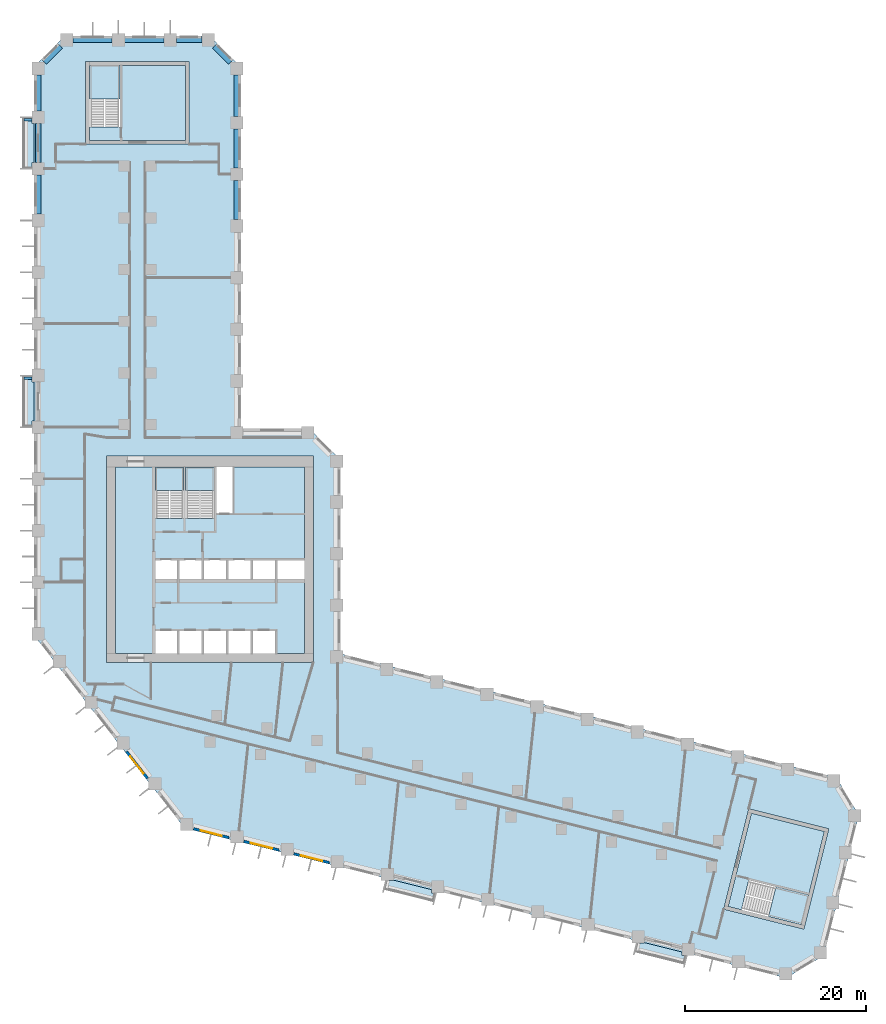
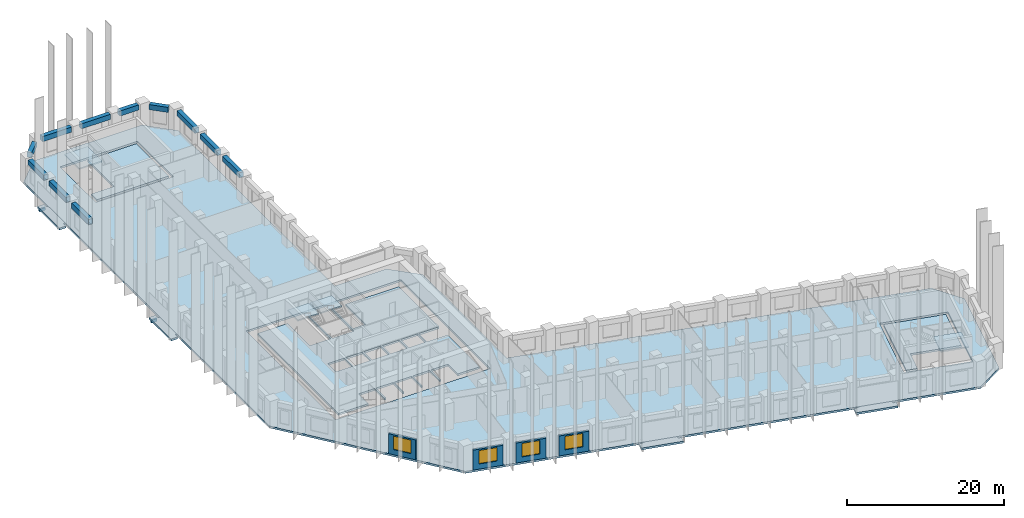
# One storey, part 2 of 11: 13 beams, 12 slabs, 4 walls, 4 windows, 4 openings, 4 elements without a shape of their own.
"""IFC4 building model written with IfcOpenShell, lengths in metres."""

from ifc_helpers import new_model, si_unit, direction, frame, frame_2d, origin, origin_2d, place, context, subcontext, project, spatial, polyline, rectangle, outline, extrude, material, layer, layer_set, material_profile, profile_set, type_object, element, fill, aggregate, save


model = new_model("IFC4")

# Units and contexts
model_context = context("Model", 3, precision=1e-05, world=origin(), true_north=direction((0.0, 1.0)))
body_context = subcontext(model_context, "Body", "Model", "MODEL_VIEW")
ifc_project = project(units=[si_unit("LENGTHUNIT", "METRE"), si_unit("AREAUNIT", "SQUARE_METRE"), si_unit("VOLUMEUNIT", "CUBIC_METRE"), si_unit("PLANEANGLEUNIT", "RADIAN"), si_unit("MASSUNIT", "GRAM", prefix="KILO")], contexts=[model_context])

# Site, building, storey
site_placement = place(None, origin())
site = spatial("IfcSite", under=ifc_project, at=site_placement, CompositionType="ELEMENT")
building_placement = place(site_placement, origin())
building = spatial("IfcBuilding", under=site, at=building_placement, Name="Meshkara Civic Tower", CompositionType="ELEMENT")
storey_placement = place(building_placement, frame((0.0, 0.0, 49.800048828125)))
storey = spatial("IfcBuildingStorey", under=building, at=storey_placement, Name="L10", CompositionType="ELEMENT", Elevation=49.800048828125)

# Beams
ifc_material_1 = material(Name="Concrete C50", Category="concrete")
ifc_material_profile_1 = material_profile(ifc_material_1, rectangle(XDim=0.25, YDim=0.39990234375, at=origin_2d()))
ifc_profile_set_1 = profile_set([ifc_material_profile_1], Name="Concrete C50")
beam_type_1 = type_object("IfcBeamType", Name="Balcony bracket beam RC 250x400 C50", PredefinedType="BEAM", material=ifc_profile_set_1)
for number, where, z_axis, x_axis, name in (
    (1, (-0.2451171875, 73.955078125, -0.5), (-1.0, 0.0, 0.0), (0.0, -1.0, 0.0), "Balcony bracket beam"),
    (2, (-0.2451171875, 45.455078125, -0.5), (-1.0, 0.0, 0.0), (0.0, -1.0, 0.0), "Balcony bracket beam"),
):
    element("IfcBeam", number, at=place(storey_placement, frame(where, z_axis=z_axis, x_axis=x_axis)), inside=storey, type_object=beam_type_1, Name=name, PredefinedType="BEAM", context=body_context, shape_type="SweptSolid", body=[
        extrude(rectangle(XDim=0.25, YDim=0.39990234375, at=origin_2d()), origin(), (0.0, 0.0, 1.0), 0.85498046875),
    ])
ifc_material_2 = material(Name="Concrete C70", Category="concrete")
ifc_material_profile_2 = material_profile(ifc_material_2, rectangle(XDim=0.60009765625, YDim=0.800048828125, at=origin_2d()))
ifc_profile_set_2 = profile_set([ifc_material_profile_2], Name="Concrete C70")
beam_type_2 = type_object("IfcBeamType", Name="Spandrel beam RC 600x800 C70", PredefinedType="BEAM", material=ifc_profile_set_2)
beam_1_placement = place(storey_placement, frame((22.35009765625, 62.945068359375, 3.5), z_axis=(0.0, 1.0, 0.0), x_axis=(-1.0, 0.0, 0.0)))
element("IfcBeam", 3, at=beam_1_placement, inside=storey, type_object=beam_type_2, Name="Spandrel beam AE04-AE05", PredefinedType="BEAM", context=body_context, shape_type="SweptSolid", body=[
    extrude(rectangle(XDim=0.60009765625, YDim=0.800048828125, at=origin_2d()), origin(), (0.0, 0.0, 1.0), 4.309814453125),
])
beam_2_placement = place(storey_placement, frame((22.35009765625, 68.64501953125, 3.5), z_axis=(0.0, 1.0, 0.0), x_axis=(-1.0, 0.0, 0.0)))
element("IfcBeam", 4, at=beam_2_placement, inside=storey, type_object=beam_type_2, Name="Spandrel beam AE05-AE06", PredefinedType="BEAM", context=body_context, shape_type="SweptSolid", body=[
    extrude(rectangle(XDim=0.60009765625, YDim=0.800048828125, at=origin_2d()), origin(), (0.0, 0.0, 1.0), 4.31005859375),
])
beam_3_placement = place(storey_placement, frame((22.35009765625, 74.344970703125, 3.5), z_axis=(0.0, 1.0, 0.0), x_axis=(-1.0, 0.0, 0.0)))
element("IfcBeam", 5, at=beam_3_placement, inside=storey, type_object=beam_type_2, Name="Spandrel beam AE06-AEE", PredefinedType="BEAM", context=body_context, shape_type="SweptSolid", body=[
    extrude(rectangle(XDim=0.60009765625, YDim=0.800048828125, at=origin_2d()), origin(), (0.0, 0.0, 1.0), 4.573974609375),
])
beam_4_placement = place(storey_placement, frame((21.653564453125, 80.310546875, 3.5), z_axis=(-0.707155737934, 0.70705782105, 0.0), x_axis=(-0.70705782105, -0.707155737934, 0.0)))
element("IfcBeam", 6, at=beam_4_placement, inside=storey, type_object=beam_type_2, Name="Spandrel beam AEE-ATiE", PredefinedType="BEAM", context=body_context, shape_type="SweptSolid", body=[
    extrude(rectangle(XDim=0.60009765625, YDim=0.800048828125, at=origin_2d()), origin(), (0.0, 0.0, 1.0), 2.493408203125),
])
beam_5_placement = place(storey_placement, frame((18.4990234375, 82.77001953125, 3.5), z_axis=(-1.0, 0.0, 0.0), x_axis=(0.0, -1.0, 0.0)))
element("IfcBeam", 7, at=beam_5_placement, inside=storey, type_object=beam_type_2, Name="Spandrel beam AT02-ATiE", PredefinedType="BEAM", context=body_context, shape_type="SweptSolid", body=[
    extrude(rectangle(XDim=0.60009765625, YDim=0.800048828125, at=origin_2d()), origin(), (0.0, 0.0, 1.0), 2.798095703125),
])
for number, where, z_axis, x_axis, name in (
    (8, (14.31103515625, 82.77001953125, 3.5), (-1.0, 0.0, 0.0), (0.0, -1.0, 0.0), "Spandrel beam AT01-AT02"),
    (9, (8.611083984375, 82.77001953125, 3.5), (-1.0, 0.0, 0.0), (0.0, -1.0, 0.0), "Spandrel beam AT00-AT01"),
):
    element("IfcBeam", number, at=place(storey_placement, frame(where, z_axis=z_axis, x_axis=x_axis)), inside=storey, type_object=beam_type_2, Name=name, PredefinedType="BEAM", context=body_context, shape_type="SweptSolid", body=[
        extrude(rectangle(XDim=0.60009765625, YDim=0.800048828125, at=origin_2d()), origin(), (0.0, 0.0, 1.0), 4.31005859375),
    ])
beam_6_placement = place(storey_placement, frame((2.909423828125, 82.073486328125, 3.5), z_axis=(-0.707106781187, -0.707106781187, 0.0), x_axis=(0.707106781187, -0.707106781187, 0.0)))
element("IfcBeam", 10, at=beam_6_placement, inside=storey, type_object=beam_type_2, Name="Spandrel beam AT00-ATo00", PredefinedType="BEAM", context=body_context, shape_type="SweptSolid", body=[
    extrude(rectangle(XDim=0.60009765625, YDim=0.800048828125, at=origin_2d()), origin(), (0.0, 0.0, 1.0), 2.4931640625),
])
beam_7_placement = place(storey_placement, frame((0.449951171875, 78.9189453125, 3.5), z_axis=(0.0, -1.0, 0.0), x_axis=(1.0, 0.0, 0.0)))
element("IfcBeam", 11, at=beam_7_placement, inside=storey, type_object=beam_type_2, Name="Spandrel beam ATo00-AW10", PredefinedType="BEAM", context=body_context, shape_type="SweptSolid", body=[
    extrude(rectangle(XDim=0.60009765625, YDim=0.800048828125, at=origin_2d()), origin(), (0.0, 0.0, 1.0), 3.968994140625),
])
for number, where, z_axis, x_axis, name in (
    (12, (0.449951171875, 73.56005859375, 3.5), (0.0, -1.0, 0.0), (1.0, 0.0, 0.0), "Spandrel beam AW09-AW10"),
    (13, (0.449951171875, 67.860107421875, 3.5), (0.0, -1.0, 0.0), (1.0, 0.0, 0.0), "Spandrel beam AW08-AW09"),
):
    element("IfcBeam", number, at=place(storey_placement, frame(where, z_axis=z_axis, x_axis=x_axis)), inside=storey, type_object=beam_type_2, Name=name, PredefinedType="BEAM", context=body_context, shape_type="SweptSolid", body=[
        extrude(rectangle(XDim=0.60009765625, YDim=0.800048828125, at=origin_2d()), origin(), (0.0, 0.0, 1.0), 4.31005859375),
    ])

# Slabs
ifc_material_3 = material(Name="Concrete C40", Category="concrete")
ifc_layer_1 = layer(ifc_material_3, 0.300048828125)
ifc_layer_set_1 = layer_set([ifc_layer_1], Name="BALCONY SLAB")
slab_type_1 = type_object("IfcSlabType", Name="BALCONY SLAB", PredefinedType="FLOOR", material=ifc_layer_set_1)
slab_1_placement = place(storey_placement, frame((0.0, 0.0, -0.300048828125)))
element("IfcSlab", 14, at=slab_1_placement, inside=storey, type_object=slab_type_1, Name="Balcony slab", PredefinedType="FLOOR", context=body_context, shape_type="SweptSolid", body=[
    extrude(outline(polyline([(-1.199951171875, 68.614990234375), (-1.199951171875, 74.195068359375), (-0.25, 74.195068359375), (-0.25, 73.554931640625), (0.0, 73.554931640625), (0.0, 69.2548828125), (-0.25, 69.2548828125), (-0.25, 68.614990234375), (-1.199951171875, 68.614990234375)])), origin(), (0.0, 0.0, 1.0), 0.300048828125),
])
slab_2_placement = place(storey_placement, frame((0.0, 0.0, -0.300048828125)))
element("IfcSlab", 15, at=slab_2_placement, inside=storey, type_object=slab_type_1, Name="Balcony slab", PredefinedType="FLOOR", context=body_context, shape_type="SweptSolid", body=[
    extrude(outline(polyline([(-1.199951171875, 40.114990234375), (-1.199951171875, 45.695068359375), (-0.25, 45.695068359375), (-0.25, 45.054931640625), (0.0, 45.054931640625), (0.0, 40.7548828125), (-0.25, 40.7548828125), (-0.25, 40.114990234375), (-1.199951171875, 40.114990234375)])), origin(), (0.0, 0.0, 1.0), 0.300048828125),
])
slab_3_placement = place(storey_placement, frame((0.0, 0.0, -0.300048828125)))
element("IfcSlab", 16, at=slab_3_placement, inside=storey, type_object=slab_type_1, Name="Balcony slab", PredefinedType="FLOOR", context=body_context, shape_type="SweptSolid", body=[
    extrude(outline(polyline([(44.047119140625, -12.218994140625), (38.633056640625, -10.868896484375), (38.861083984375, -9.9541015625), (39.674072265625, -9.9541015625), (39.674072265625, -9.89208984375), (43.804931640625, -10.922119140625), (43.804931640625, -11.33203125), (44.26904296875, -11.33203125), (44.047119140625, -12.218994140625)])), origin(), (0.0, 0.0, 1.0), 0.300048828125),
])
slab_4_placement = place(storey_placement, frame((0.0, 0.0, -0.300048828125)))
element("IfcSlab", 17, at=slab_4_placement, inside=storey, type_object=slab_type_1, Name="Balcony slab", PredefinedType="FLOOR", context=body_context, shape_type="SweptSolid", body=[
    extrude(outline(polyline([(71.700927734375, -19.114013671875), (66.285888671875, -17.763916015625), (66.513916015625, -16.847900390625), (67.326904296875, -16.847900390625), (67.326904296875, -16.785888671875), (71.4580078125, -17.81591796875), (71.4580078125, -18.22705078125), (71.922119140625, -18.22705078125), (71.700927734375, -19.114013671875)])), origin(), (0.0, 0.0, 1.0), 0.300048828125),
])
ifc_material_4 = material(Name="Concrete C40/50", Category="concrete")
ifc_layer_2 = layer(ifc_material_4, 0.300048828125)
ifc_layer_set_2 = layer_set([ifc_layer_2], Name="Core floor slab 300 C40/50")
slab_type_2 = type_object("IfcSlabType", Name="Core floor slab 300 C40/50", PredefinedType="FLOOR", material=ifc_layer_set_2)
slab_5_placement = place(storey_placement, frame((0.0, 0.0, -0.300048828125)))
element("IfcSlab", 18, at=slab_5_placement, inside=storey, type_object=slab_type_2, Name="Core floor K", PredefinedType="FLOOR", context=body_context, shape_type="SweptSolid", body=[
    extrude(outline(polyline([(9.0, 35.699951171875), (13.39990234375, 35.699951171875), (13.39990234375, 30.00146484375), (16.5, 30.00146484375), (16.5, 35.699951171875), (16.699951171875, 35.699951171875), (16.699951171875, 30.00146484375), (19.89990234375, 30.00146484375), (19.89990234375, 35.699951171875), (20.10009765625, 35.699951171875), (20.10009765625, 30.574951171875), (21.925048828125, 30.574951171875), (21.925048828125, 35.699951171875), (29.800048828125, 35.699951171875), (29.800048828125, 25.39990234375), (26.800048828125, 25.39990234375), (26.800048828125, 23.300048828125), (29.800048828125, 23.300048828125), (29.800048828125, 15.10009765625), (26.60009765625, 15.10009765625), (26.60009765625, 17.60009765625), (24.10009765625, 17.60009765625), (24.10009765625, 15.10009765625), (23.89990234375, 15.10009765625), (23.89990234375, 17.60009765625), (21.39990234375, 17.60009765625), (21.39990234375, 15.10009765625), (21.199951171875, 15.10009765625), (21.199951171875, 17.60009765625), (18.699951171875, 17.60009765625), (18.699951171875, 15.10009765625), (18.5, 15.10009765625), (18.5, 17.60009765625), (16.0, 17.60009765625), (16.0, 15.10009765625), (15.800048828125, 15.10009765625), (15.800048828125, 17.60009765625), (13.39990234375, 17.60009765625), (13.39990234375, 15.10009765625), (9.0, 15.10009765625), (9.0, 35.699951171875)]), holes=[polyline([(13.39990234375, 25.39990234375), (13.39990234375, 23.300048828125), (15.800048828125, 23.300048828125), (15.800048828125, 25.39990234375), (13.39990234375, 25.39990234375)]), polyline([(18.5, 23.300048828125), (18.5, 25.39990234375), (16.0, 25.39990234375), (16.0, 23.300048828125), (18.5, 23.300048828125)]), polyline([(18.699951171875, 25.39990234375), (18.699951171875, 23.300048828125), (21.199951171875, 23.300048828125), (21.199951171875, 25.39990234375), (18.699951171875, 25.39990234375)]), polyline([(23.89990234375, 23.300048828125), (23.89990234375, 25.39990234375), (21.39990234375, 25.39990234375), (21.39990234375, 23.300048828125), (23.89990234375, 23.300048828125)]), polyline([(26.60009765625, 23.300048828125), (26.60009765625, 25.39990234375), (24.10009765625, 25.39990234375), (24.10009765625, 23.300048828125), (26.60009765625, 23.300048828125)])]), origin(), (0.0, 0.0, 1.0), 0.300048828125),
])
slab_6_placement = place(storey_placement, frame((0.0, 0.0, -0.300048828125)))
element("IfcSlab", 19, at=slab_6_placement, inside=storey, type_object=slab_type_2, Name="Core floor EA", PredefinedType="FLOOR", context=body_context, shape_type="SweptSolid", body=[
    extrude(outline(polyline([(16.699951171875, 71.669921875), (16.699951171875, 79.969970703125), (9.5, 79.969970703125), (9.5, 73.17138671875), (6.10009765625, 73.17138671875), (6.10009765625, 71.669921875), (16.699951171875, 71.669921875)])), origin(), (0.0, 0.0, 1.0), 0.300048828125),
])
slab_7_placement = place(storey_placement, frame((0.0, 0.0, -0.300048828125)))
element("IfcSlab", 20, at=slab_7_placement, inside=storey, type_object=slab_type_2, Name="Core floor EB", PredefinedType="FLOOR", context=body_context, shape_type="SweptSolid", body=[
    extrude(outline(polyline([(79.11181640625, -2.513671875), (87.165283203125, -4.521484375), (85.423583984375, -11.507568359375), (78.826904296875, -9.863037109375), (78.00439453125, -13.161865234375), (76.547607421875, -12.798583984375), (79.11181640625, -2.513671875)])), origin(), (0.0, 0.0, 1.0), 0.300048828125),
])

# Stair, slab
ifc_material_5 = material(Name="Precast concrete C40/50", Category="concrete")
stair_type_1 = type_object("IfcStairType", Name="Exit stair half-turn 24 risers precast", PredefinedType="HALF_TURN_STAIR", material=ifc_material_5)
stair_1_placement = place(storey_placement, origin())
stair_1 = element("IfcStair", 21, at=stair_1_placement, inside=storey, type_object=stair_type_1, Name="L10 exit stair 1", PredefinedType="HALF_TURN_STAIR")
ifc_material_6 = material(Name="Precast concrete C40/50", Category="concrete")
ifc_layer_3 = layer(ifc_material_6, 0.199951171875)
ifc_layer_set_3 = layer_set([ifc_layer_3], Name="Exit stair landing 200")
slab_type_3 = type_object("IfcSlabType", Name="Exit stair landing 200", PredefinedType="LANDING", material=ifc_layer_set_3)
slab_8_placement = place(storey_placement, frame((0.0, 0.0, 1.89990234375)))
slab_8 = element("IfcSlab", 22, at=slab_8_placement, type_object=slab_type_3, Name="ST1 landing 1", PredefinedType="LANDING", context=body_context, shape_type="SweptSolid", body=[
    extrude(outline(polyline([(16.5, 33.07861328125), (16.5, 35.699951171875), (13.39990234375, 35.699951171875), (13.39990234375, 33.07861328125), (16.5, 33.07861328125)])), origin(), (0.0, 0.0, 1.0), 0.199951171875),
])
aggregate(stair_1, [slab_8])

stair_2_placement = place(storey_placement, origin())
stair_2 = element("IfcStair", 23, at=stair_2_placement, inside=storey, type_object=stair_type_1, Name="L10 exit stair 2", PredefinedType="HALF_TURN_STAIR")
slab_9_placement = place(storey_placement, frame((0.0, 0.0, 1.89990234375)))
slab_9 = element("IfcSlab", 24, at=slab_9_placement, type_object=slab_type_3, Name="ST2 landing 1", PredefinedType="LANDING", context=body_context, shape_type="SweptSolid", body=[
    extrude(outline(polyline([(19.89990234375, 33.07861328125), (19.89990234375, 35.699951171875), (16.699951171875, 35.699951171875), (16.699951171875, 33.07861328125), (19.89990234375, 33.07861328125)])), origin(), (0.0, 0.0, 1.0), 0.199951171875),
])
aggregate(stair_2, [slab_9])

ifc_material_7 = material(Name="Precast concrete C40/50", Category="concrete")
stair_type_2 = type_object("IfcStairType", Name="Exit stair half-turn 24 risers 1500 precast", PredefinedType="HALF_TURN_STAIR", material=ifc_material_7)
stair_3_placement = place(storey_placement, origin())
stair_3 = element("IfcStair", 25, at=stair_3_placement, inside=storey, type_object=stair_type_2, Name="L10 exit stair A from B2", PredefinedType="HALF_TURN_STAIR")
slab_10_placement = place(storey_placement, frame((0.0, 0.0, 1.89990234375)))
slab_10 = element("IfcSlab", 26, at=slab_10_placement, type_object=slab_type_3, Name="ESA1 landing 1", PredefinedType="LANDING", context=body_context, shape_type="SweptSolid", body=[
    extrude(outline(polyline([(9.5, 76.24853515625), (9.5, 79.969970703125), (6.10009765625, 79.969970703125), (6.10009765625, 76.24853515625), (9.5, 76.24853515625)])), origin(), (0.0, 0.0, 1.0), 0.199951171875),
])
aggregate(stair_3, [slab_10])

stair_4_placement = place(storey_placement, origin())
stair_4 = element("IfcStair", 27, at=stair_4_placement, inside=storey, type_object=stair_type_2, Name="L10 exit stair B from B2", PredefinedType="HALF_TURN_STAIR")
slab_11_placement = place(storey_placement, frame((0.0, 0.0, 1.89990234375)))
slab_11 = element("IfcSlab", 28, at=slab_11_placement, type_object=slab_type_3, Name="ESB1 landing 1", PredefinedType="LANDING", context=body_context, shape_type="SweptSolid", body=[
    extrude(outline(polyline([(80.98974609375, -13.9072265625), (84.600830078125, -14.80810546875), (85.424072265625, -11.50830078125), (81.81298828125, -10.607421875), (80.98974609375, -13.9072265625)])), origin(), (0.0, 0.0, 1.0), 0.199951171875),
])
aggregate(stair_4, [slab_11])

# Slab
ifc_material_8 = material(Name="Concrete C50", Category="concrete")
ifc_layer_4 = layer(ifc_material_8, 0.300048828125)
ifc_layer_set_4 = layer_set([ifc_layer_4], Name="Post-tensioned flat slab 300 C50")
slab_type_4 = type_object("IfcSlabType", Name="Post-tensioned flat slab 300 C50", PredefinedType="FLOOR", material=ifc_layer_set_4)
slab_12_placement = place(storey_placement, frame((0.0, 0.0, -0.300048828125)))
element("IfcSlab", 29, at=slab_12_placement, inside=storey, type_object=slab_type_4, Name="Post-tensioned flat slab L10", PredefinedType="FLOOR", context=body_context, shape_type="SweptSolid", body=[
    extrude(outline(polyline([(87.10595703125, -18.193115234375), (82.9599609375, -20.68408203125), (16.592041015625, -4.136962890625), (0.0, 17.10009765625), (0.0, 79.800048828125), (3.419921875, 83.219970703125), (19.3798828125, 83.219970703125), (22.800048828125, 79.800048828125), (22.800048828125, 39.89990234375), (30.3798828125, 39.89990234375), (33.800048828125, 36.47998046875), (33.800048828125, 15.071044921875), (88.47607421875, 1.43798828125), (90.967041015625, -2.70703125), (87.10595703125, -18.193115234375)]), holes=[polyline([(84.89208984375, -15.2919921875), (87.64990234375, -4.22998046875), (78.821044921875, -2.029052734375), (76.06298828125, -13.090087890625), (84.89208984375, -15.2919921875)]), polyline([(8.0, 14.10009765625), (30.800048828125, 14.10009765625), (30.800048828125, 36.89990234375), (8.0, 36.89990234375), (8.0, 14.10009765625)]), polyline([(5.699951171875, 80.3701171875), (5.699951171875, 71.27001953125), (17.10009765625, 71.27001953125), (17.10009765625, 80.3701171875), (5.699951171875, 80.3701171875)])]), origin(), (0.0, 0.0, 1.0), 0.300048828125),
])

# Wall, opening, window
ifc_material_9 = material(Name="Insulated infill panel with bronze anodised aluminium cladding", Category="aluminium")
ifc_layer_5 = layer(ifc_material_9, 0.300048828125)
ifc_layer_set_5 = layer_set([ifc_layer_5], Name="EXTERNAL INFILL WALL 300")
wall_type = type_object("IfcWallType", Name="EXTERNAL INFILL WALL 300", PredefinedType="SOLIDWALL", material=ifc_layer_set_5)
wall_1_placement = place(storey_placement, frame((10.201904296875, 4.285888671875, 0.0), z_axis=(0.0, 0.0, 1.0), x_axis=(0.615636430057, -0.788030320474, 0.0)))
wall_1 = element("IfcWall", 30, at=wall_1_placement, inside=storey, type_object=wall_type, Name="External wall", PredefinedType="SOLIDWALL", context=body_context, shape_type="SweptSolid", body=[
    extrude(rectangle(XDim=3.734375, YDim=0.300048828125, at=frame_2d((1.8671875, 0.0))), origin(), (0.0, 0.0, 1.0), 3.099853515625),
])
opening_1_placement = place(wall_1_placement, frame((0.6669921875, 0.0, 0.800048828125)))
opening_1 = element("IfcOpeningElement", 31, at=opening_1_placement, cuts=wall_1, Name="Opening W7", PredefinedType="OPENING", context=body_context, shape_type="SweptSolid", body=[
    extrude(rectangle(XDim=2.39990234375, YDim=2.10009765625, at=frame_2d((1.199951171875, 1.050048828125))), frame((0.0, 0.159912109375, 0.0), z_axis=(0.0, -1.0, 0.0), x_axis=(1.0, 0.0, 0.0)), (0.0, 0.0, 1.0), 0.320068359375),
])
ifc_material_10 = material(Name="Tinted double glazing", Category="glass")
window_type = type_object("IfcWindowType", Name="WINDOW 2400x2100", PartitioningType="DOUBLE_PANEL_VERTICAL", PredefinedType="WINDOW", material=ifc_material_10)
window_1_placement = place(opening_1_placement, origin())
window_1 = element("IfcWindow", 32, at=window_1_placement, inside=storey, type_object=window_type, Name="Window", OverallHeight=2.10009765625, OverallWidth=2.39990234375, PartitioningType="DOUBLE_PANEL_VERTICAL", PredefinedType="WINDOW", context=body_context, shape_type="SweptSolid", body=[
    extrude(rectangle(XDim=2.39990234375, YDim=2.10009765625, at=frame_2d((1.199951171875, 1.050048828125))), frame((0.0, 0.030029296875, 0.0), z_axis=(0.0, -1.0, 0.0), x_axis=(1.0, 0.0, 0.0)), (0.0, 0.0, 1.0), 0.06005859375),
])
fill(opening_1, window_1)

wall_2_placement = place(storey_placement, frame((17.60205078125, -4.23388671875, 0.0), z_axis=(0.0, 0.0, 1.0), x_axis=(0.970260773365, -0.242062040951, 0.0)))
wall_2 = element("IfcWall", 33, at=wall_2_placement, inside=storey, type_object=wall_type, Name="External wall", PredefinedType="SOLIDWALL", context=body_context, shape_type="SweptSolid", body=[
    extrude(rectangle(XDim=4.003173828125, YDim=0.300048828125, at=frame_2d((2.00146484375, 0.0))), origin(), (0.0, 0.0, 1.0), 3.099853515625),
])
opening_2_placement = place(wall_2_placement, frame((0.802001953125, 0.0, 0.800048828125)))
opening_2 = element("IfcOpeningElement", 34, at=opening_2_placement, cuts=wall_2, Name="Opening W7", PredefinedType="OPENING", context=body_context, shape_type="SweptSolid", body=[
    extrude(rectangle(XDim=2.39990234375, YDim=2.10009765625, at=frame_2d((1.199951171875, 1.050048828125))), frame((0.0, 0.159912109375, 0.0), z_axis=(0.0, -1.0, 0.0), x_axis=(1.0, 0.0, 0.0)), (0.0, 0.0, 1.0), 0.320068359375),
])
window_2_placement = place(opening_2_placement, origin())
window_2 = element("IfcWindow", 35, at=window_2_placement, inside=storey, type_object=window_type, Name="Window", OverallHeight=2.10009765625, OverallWidth=2.39990234375, PartitioningType="DOUBLE_PANEL_VERTICAL", PredefinedType="WINDOW", context=body_context, shape_type="SweptSolid", body=[
    extrude(rectangle(XDim=2.39990234375, YDim=2.10009765625, at=frame_2d((1.199951171875, 1.050048828125))), frame((0.0, 0.030029296875, 0.0), z_axis=(0.0, -1.0, 0.0), x_axis=(1.0, 0.0, 0.0)), (0.0, 0.0, 1.0), 0.06005859375),
])
fill(opening_2, window_2)

wall_3_placement = place(storey_placement, frame((23.133056640625, -5.613037109375, 0.0), z_axis=(0.0, 0.0, 1.0), x_axis=(0.970303772127, -0.241889623168, 0.0)))
wall_3 = element("IfcWall", 36, at=wall_3_placement, inside=storey, type_object=wall_type, Name="External wall", PredefinedType="SOLIDWALL", context=body_context, shape_type="SweptSolid", body=[
    extrude(rectangle(XDim=4.001953125, YDim=0.300048828125, at=frame_2d((2.0009765625, 0.0))), origin(), (0.0, 0.0, 1.0), 3.099853515625),
])
opening_3_placement = place(wall_3_placement, frame((0.801025390625, 0.0, 0.800048828125)))
opening_3 = element("IfcOpeningElement", 37, at=opening_3_placement, cuts=wall_3, Name="Opening W7", PredefinedType="OPENING", context=body_context, shape_type="SweptSolid", body=[
    extrude(rectangle(XDim=2.39990234375, YDim=2.10009765625, at=frame_2d((1.199951171875, 1.050048828125))), frame((0.0, 0.159912109375, 0.0), z_axis=(0.0, -1.0, 0.0), x_axis=(1.0, 0.0, 0.0)), (0.0, 0.0, 1.0), 0.320068359375),
])
window_3_placement = place(opening_3_placement, origin())
window_3 = element("IfcWindow", 38, at=window_3_placement, inside=storey, type_object=window_type, Name="Window", OverallHeight=2.10009765625, OverallWidth=2.39990234375, PartitioningType="DOUBLE_PANEL_VERTICAL", PredefinedType="WINDOW", context=body_context, shape_type="SweptSolid", body=[
    extrude(rectangle(XDim=2.39990234375, YDim=2.10009765625, at=frame_2d((1.199951171875, 1.050048828125))), frame((0.0, 0.030029296875, 0.0), z_axis=(0.0, -1.0, 0.0), x_axis=(1.0, 0.0, 0.0)), (0.0, 0.0, 1.0), 0.06005859375),
])
fill(opening_3, window_3)

wall_4_placement = place(storey_placement, frame((28.6630859375, -6.991943359375, 0.0), z_axis=(0.0, 0.0, 1.0), x_axis=(0.970318045095, -0.24183236211, 0.0)))
wall_4 = element("IfcWall", 39, at=wall_4_placement, inside=storey, type_object=wall_type, Name="External wall", PredefinedType="SOLIDWALL", context=body_context, shape_type="SweptSolid", body=[
    extrude(rectangle(XDim=4.0029296875, YDim=0.300048828125, at=frame_2d((2.00146484375, 0.0))), origin(), (0.0, 0.0, 1.0), 3.099853515625),
])
opening_4_placement = place(wall_4_placement, frame((0.802001953125, 0.0, 0.800048828125)))
opening_4 = element("IfcOpeningElement", 40, at=opening_4_placement, cuts=wall_4, Name="Opening W7", PredefinedType="OPENING", context=body_context, shape_type="SweptSolid", body=[
    extrude(rectangle(XDim=2.39990234375, YDim=2.10009765625, at=frame_2d((1.199951171875, 1.050048828125))), frame((0.0, 0.159912109375, 0.0), z_axis=(0.0, -1.0, 0.0), x_axis=(1.0, 0.0, 0.0)), (0.0, 0.0, 1.0), 0.320068359375),
])
window_4_placement = place(opening_4_placement, origin())
window_4 = element("IfcWindow", 41, at=window_4_placement, inside=storey, type_object=window_type, Name="Window", OverallHeight=2.10009765625, OverallWidth=2.39990234375, PartitioningType="DOUBLE_PANEL_VERTICAL", PredefinedType="WINDOW", context=body_context, shape_type="SweptSolid", body=[
    extrude(rectangle(XDim=2.39990234375, YDim=2.10009765625, at=frame_2d((1.199951171875, 1.050048828125))), frame((0.0, 0.030029296875, 0.0), z_axis=(0.0, -1.0, 0.0), x_axis=(1.0, 0.0, 0.0)), (0.0, 0.0, 1.0), 0.06005859375),
])
fill(opening_4, window_4)

save(model, "model.ifc")
